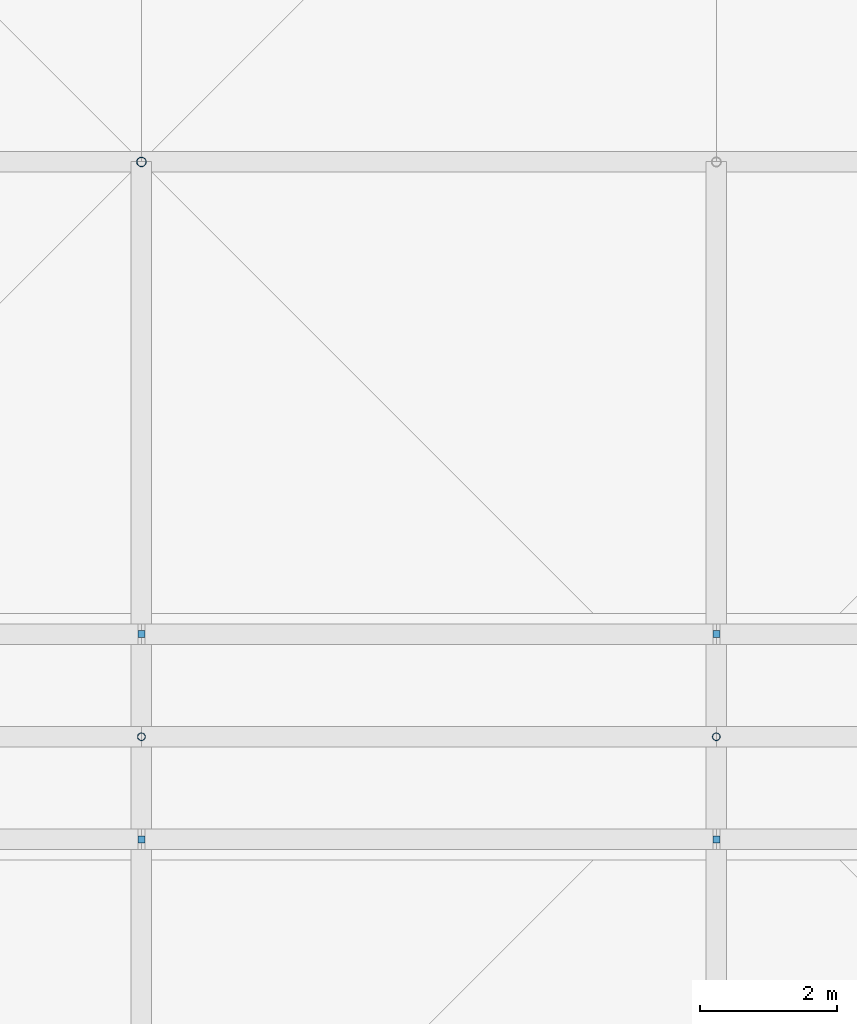
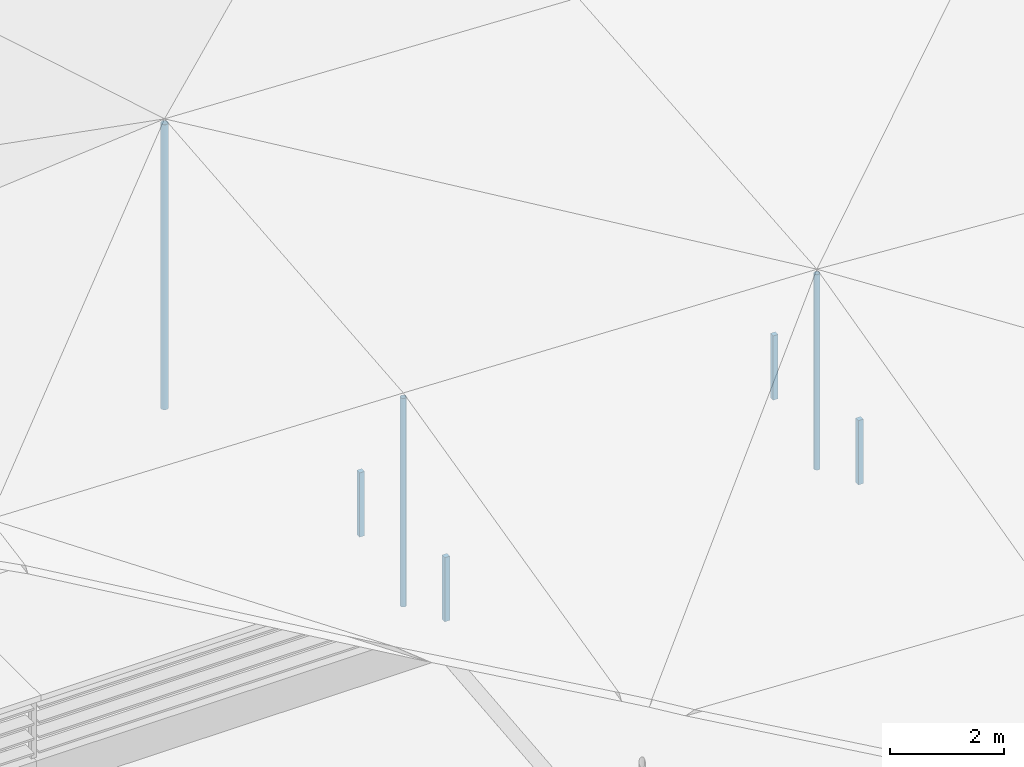
# One storey, part 15 of 46: 7 discrete accessories.
"""IFC4 building model written with IfcOpenShell, lengths in metres."""

from ifc_helpers import new_model, si_unit, direction, frame, origin, origin_2d, place, context, subcontext, project, spatial, rectangle, hollow_circle, extrude, material, layer, layer_set, material_profile, profile_set, type_object, element, save


model = new_model("IFC4")

# Units and contexts
model_context = context("Model", 3, precision=1e-05, world=origin(), true_north=direction((0.0, 1.0)))
body_context = subcontext(model_context, "Body", "Model", "MODEL_VIEW")
ifc_project = project(units=[si_unit("LENGTHUNIT", "METRE"), si_unit("AREAUNIT", "SQUARE_METRE"), si_unit("VOLUMEUNIT", "CUBIC_METRE"), si_unit("PLANEANGLEUNIT", "RADIAN"), si_unit("MASSUNIT", "GRAM", prefix="KILO")], contexts=[model_context])

# Site, building, storey
site_placement = place(None, origin())
site = spatial("IfcSite", under=ifc_project, at=site_placement, CompositionType="ELEMENT")
building_placement = place(site_placement, origin())
building = spatial("IfcBuilding", under=site, at=building_placement, Name="Rain Tree Exposition and Congress Centre", CompositionType="ELEMENT")
storey_placement = place(building_placement, frame((0.0, 0.0, 27.0)))
storey = spatial("IfcBuildingStorey", under=building, at=storey_placement, Name="ROOF VAULT CREST", CompositionType="ELEMENT", Elevation=27.0)

# Discrete accessories
ifc_material_1 = material(Name="Steel S355J2", Category="steel")
ifc_layer = layer(ifc_material_1, 0.10009765625)
ifc_layer_set = layer_set([ifc_layer], Name="Steel S355J2")
discrete_accessory_type_1 = type_object("IfcDiscreteAccessoryType", Name="Ridge lantern post 100", PredefinedType="BRACKET", material=ifc_layer_set)
for number, where, z_axis, x_axis, name in (
    (1, (176.39990234375, 124.5, 2.0), (0.0, 0.0, 1.0), (1.0, 0.0, 0.0), "Lantern post S4"),
    (2, (184.800048828125, 124.5, 2.0), (0.0, 0.0, 1.0), (1.0, 0.0, 0.0), "Lantern post S5"),
    (3, (176.39990234375, 127.5, 2.0), (0.0, 0.0, 1.0), (1.0, 0.0, 0.0), "Lantern post N4"),
    (4, (184.800048828125, 127.5, 2.0), (0.0, 0.0, 1.0), (1.0, 0.0, 0.0), "Lantern post N5"),
):
    element("IfcDiscreteAccessory", number, at=place(storey_placement, frame(where, z_axis=z_axis, x_axis=x_axis)), inside=storey, type_object=discrete_accessory_type_1, Name=name, PredefinedType="BRACKET", context=body_context, shape_type="SweptSolid", body=[
        extrude(rectangle(XDim=0.10009765625, YDim=0.10009765625, at=origin_2d()), origin(), (0.0, 0.0, 1.0), 1.3798828125),
    ])
ifc_material_2 = material(Name="Steel S355J2H", Category="steel")
ifc_material_profile_1 = material_profile(ifc_material_2, hollow_circle(Radius=0.05712890625, WallThickness=0.00439453125, at=origin_2d()), Name="CHS 114x4.5")
ifc_profile_set_1 = profile_set([ifc_material_profile_1], Name="Steel S355J2H")
discrete_accessory_type_2 = type_object("IfcDiscreteAccessoryType", Name="Roof skin post CHS 114x4.5", PredefinedType="BRACKET", material=ifc_profile_set_1)
discrete_accessory_1_placement = place(storey_placement, frame((176.39990234375, 126.0, 1.39990234375), z_axis=(0.0, 0.0, 1.0), x_axis=(1.0, 0.0, 0.0)))
element("IfcDiscreteAccessory", 5, at=discrete_accessory_1_placement, inside=storey, type_object=discrete_accessory_type_2, Name="Roof skin post B44", PredefinedType="BRACKET", context=body_context, shape_type="SweptSolid", body=[
    extrude(hollow_circle(Radius=0.05712890625, WallThickness=0.00439453125, at=origin_2d()), origin(), (0.0, 0.0, 1.0), 4.481201171875),
])
discrete_accessory_2_placement = place(storey_placement, frame((184.800048828125, 126.0, 1.39990234375), z_axis=(0.0, 0.0, 1.0), x_axis=(1.0, 0.0, 0.0)))
element("IfcDiscreteAccessory", 6, at=discrete_accessory_2_placement, inside=storey, type_object=discrete_accessory_type_2, Name="Roof skin post B45", PredefinedType="BRACKET", context=body_context, shape_type="SweptSolid", body=[
    extrude(hollow_circle(Radius=0.05712890625, WallThickness=0.00439453125, at=origin_2d()), origin(), (0.0, 0.0, 1.0), 4.197265625),
])
ifc_material_3 = material(Name="Steel S355J2H", Category="steel")
ifc_material_profile_2 = material_profile(ifc_material_3, hollow_circle(Radius=0.06982421875, WallThickness=0.0048828125, at=origin_2d()), Name="CHS 140x5")
ifc_profile_set_2 = profile_set([ifc_material_profile_2], Name="Steel S355J2H")
discrete_accessory_type_3 = type_object("IfcDiscreteAccessoryType", Name="Roof skin post CHS 140x5", PredefinedType="BRACKET", material=ifc_profile_set_2)
discrete_accessory_3_placement = place(storey_placement, frame((176.39990234375, 134.39990234375, 0.551025390625), z_axis=(0.0, 0.0, 1.0), x_axis=(1.0, 0.0, 0.0)))
element("IfcDiscreteAccessory", 7, at=discrete_accessory_3_placement, inside=storey, type_object=discrete_accessory_type_3, Name="Roof skin post B57", PredefinedType="BRACKET", context=body_context, shape_type="SweptSolid", body=[
    extrude(hollow_circle(Radius=0.06982421875, WallThickness=0.0048828125, at=origin_2d()), origin(), (0.0, 0.0, 1.0), 6.12158203125),
])

save(model, "model.ifc")
